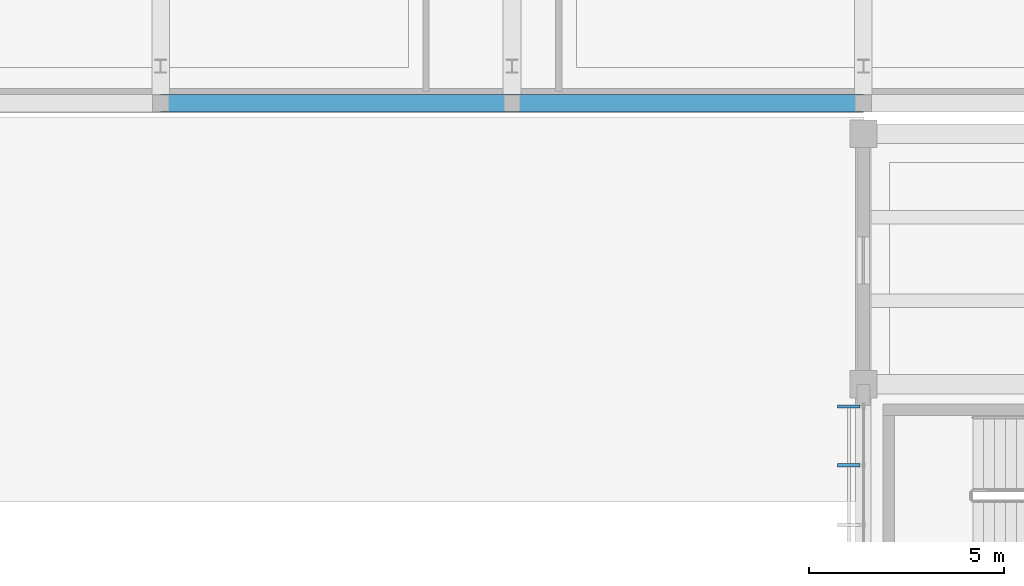
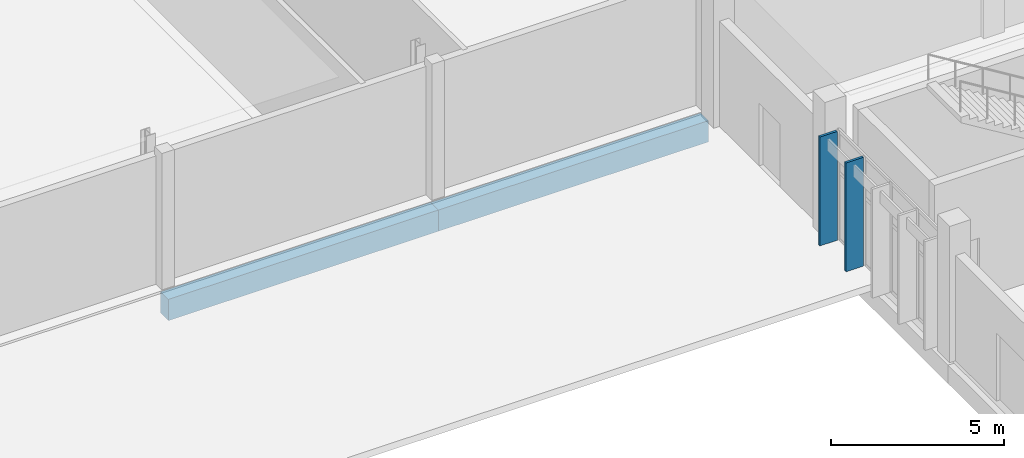
# One storey, part 78 of 151: 2 beams, 2 members, 1 element without a shape of its own.
"""IFC4 building model written with IfcOpenShell, lengths in metres."""

from ifc_helpers import new_model, si_unit, direction, frame, origin, origin_2d, place, context, subcontext, project, spatial, rectangle, extrude, material, material_profile, profile_set, type_object, element, aggregate, save


model = new_model("IFC4")

# Units and contexts
model_context = context("Model", 3, precision=1e-05, world=origin(), true_north=direction((0.0, 1.0)))
body_context = subcontext(model_context, "Body", "Model", "MODEL_VIEW")
ifc_project = project(units=[si_unit("LENGTHUNIT", "METRE"), si_unit("AREAUNIT", "SQUARE_METRE"), si_unit("VOLUMEUNIT", "CUBIC_METRE"), si_unit("PLANEANGLEUNIT", "RADIAN"), si_unit("MASSUNIT", "GRAM", prefix="KILO")], contexts=[model_context])

# Site, building, storey
site_placement = place(None, origin())
site = spatial("IfcSite", under=ifc_project, at=site_placement, CompositionType="ELEMENT")
building_placement = place(site_placement, origin())
building = spatial("IfcBuilding", under=site, at=building_placement, Name="Chiffa Square Polytechnic", CompositionType="ELEMENT")
storey_placement = place(building_placement, origin())
storey = spatial("IfcBuildingStorey", under=building, at=storey_placement, Name="L00", CompositionType="ELEMENT", Elevation=0.0)

# Curtain wall, members
ifc_material_1 = material(Name="Aluminium EN AW-6060 T66 and glulam shading", Category="wood")
curtain_wall_type = type_object("IfcCurtainWallType", Name="CW-VERT-360X380", PredefinedType="USERDEFINED", material=ifc_material_1)
curtain_wall_placement = place(storey_placement, origin())
curtain_wall = element("IfcCurtainWall", 1, at=curtain_wall_placement, inside=storey, type_object=curtain_wall_type, Name="Curtain wall CW-V1-L00-125", ObjectType="CURTAIN WALL", PredefinedType="USERDEFINED")
ifc_material_2 = material(Name="Glulam GL28h", Category="wood")
ifc_material_profile_1 = material_profile(ifc_material_2, rectangle(XDim=0.080078125, YDim=0.580078125, at=origin_2d()), Name="GL28h 80x580")
ifc_profile_set_1 = profile_set([ifc_material_profile_1], Name="Glulam GL28h")
member_type = type_object("IfcMemberType", Name="CWM-GL-80X580", PredefinedType="MULLION", material=ifc_profile_set_1)
member_1_placement = place(storey_placement, frame((147.827880859375, 50.43505859375, 0.010009765625), z_axis=(0.0, 0.0, 1.0), x_axis=(0.0, -1.0, 0.0)))
member_1 = element("IfcMember", 2, at=member_1_placement, type_object=member_type, Name="Exterior glulam solar fin CW-V1-L00-125-FN00", PredefinedType="MULLION", context=body_context, shape_type="SweptSolid", body=[
    extrude(rectangle(XDim=0.080078125, YDim=0.580078125, at=origin_2d()), origin(), (0.0, 0.0, 1.0), 3.8349609375),
])
member_2_placement = place(storey_placement, frame((147.827880859375, 48.929931640625, 0.010009765625), z_axis=(0.0, 0.0, 1.0), x_axis=(0.0, -1.0, 0.0)))
member_2 = element("IfcMember", 3, at=member_2_placement, type_object=member_type, Name="Exterior glulam solar fin CW-V1-L00-125-FN01", PredefinedType="MULLION", context=body_context, shape_type="SweptSolid", body=[
    extrude(rectangle(XDim=0.080078125, YDim=0.580078125, at=origin_2d()), origin(), (0.0, 0.0, 1.0), 3.8349609375),
])
aggregate(curtain_wall, [member_1, member_2])

# Beams
ifc_material_3 = material(Name="Concrete C35/45", Category="concrete")
ifc_material_profile_2 = material_profile(ifc_material_3, rectangle(XDim=0.449951171875, YDim=0.75, at=origin_2d()), Name="RC 450x750")
ifc_profile_set_2 = profile_set([ifc_material_profile_2], Name="Concrete C35/45")
beam_type = type_object("IfcBeamType", Name="GB-RC-450X750", PredefinedType="BEAM", material=ifc_profile_set_2)
for number, where, z_axis, x_axis, name in (
    (4, (130.199951171875, 58.199951171875, -0.77490234375), (1.0, 0.0, 0.0), (0.0, 1.0, 0.0), "Ground tie beam GB-V2-X-003"),
    (5, (139.199951171875, 58.199951171875, -0.77490234375), (1.0, 0.0, 0.0), (0.0, 1.0, 0.0), "Ground tie beam GB-V2-X-004"),
):
    element("IfcBeam", number, at=place(storey_placement, frame(where, z_axis=z_axis, x_axis=x_axis)), inside=storey, type_object=beam_type, Name=name, PredefinedType="BEAM", context=body_context, shape_type="SweptSolid", body=[
        extrude(rectangle(XDim=0.449951171875, YDim=0.75, at=origin_2d()), origin(), (0.0, 0.0, 1.0), 9.0),
    ])

save(model, "model.ifc")
